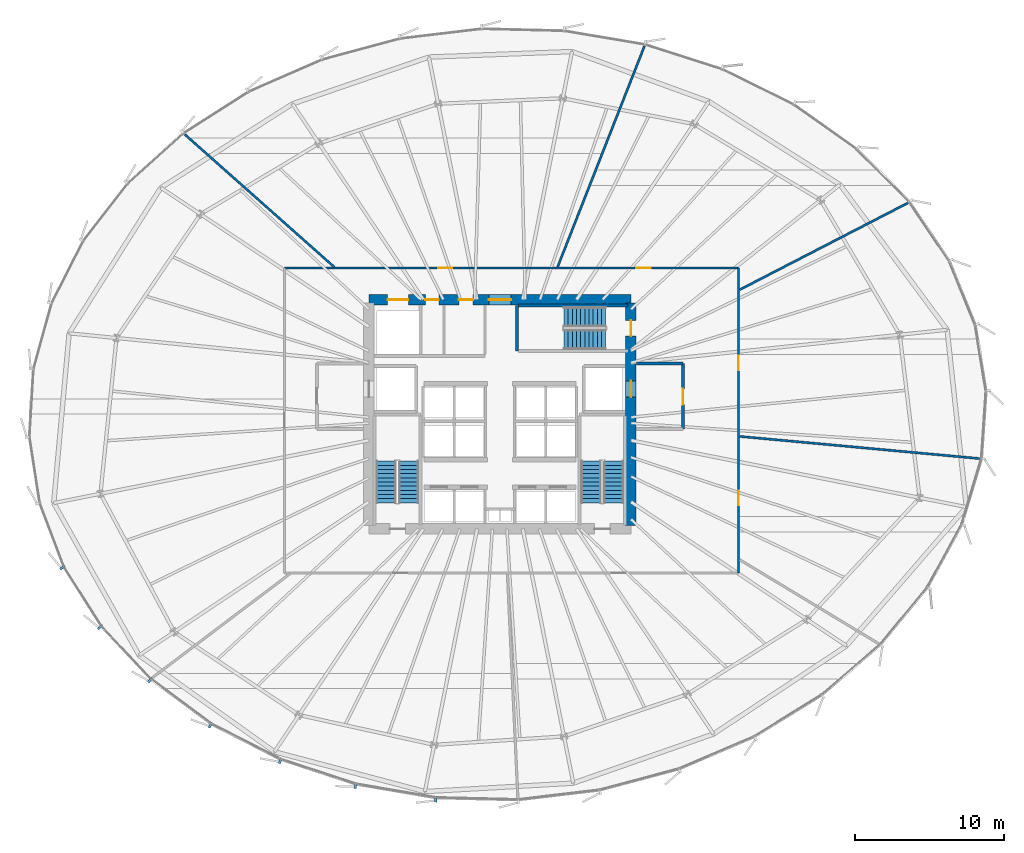
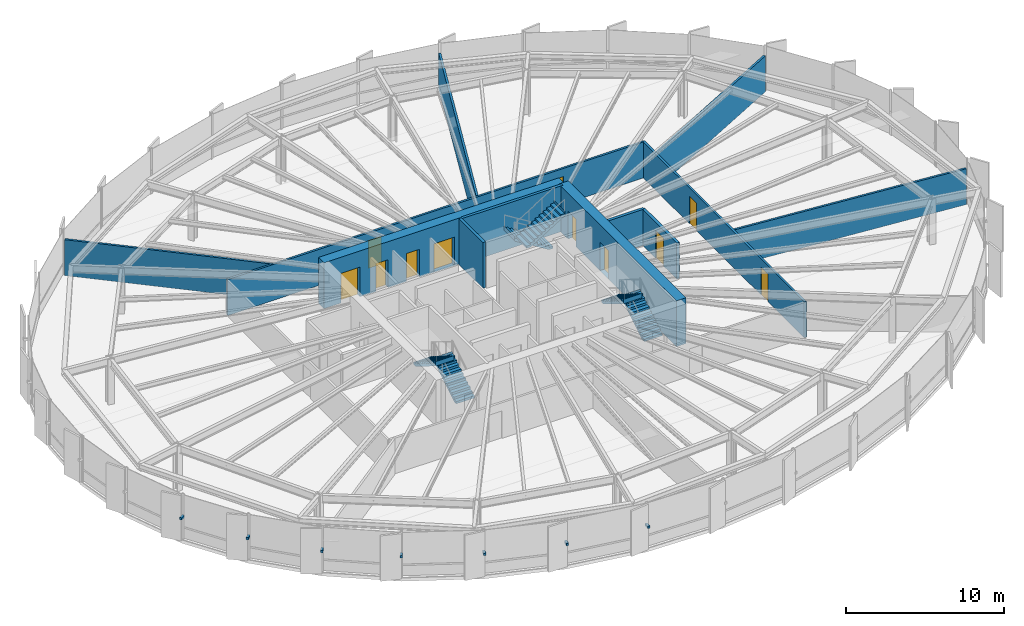
# One storey, part 31 of 39: 12 walls, 11 doors, 7 discrete accessories, 6 stair flights, 11 openings, 3 elements without a shape of their own.
"""IFC4 building model written with IfcOpenShell, lengths in metres."""

from ifc_helpers import new_model, si_unit, direction, frame, frame_2d, origin, origin_2d, place, context, subcontext, project, spatial, polyline, rectangle, outline, extrude, source, transform, mapped, material, layer, layer_set, type_object, element, fill, aggregate, save


model = new_model("IFC4")

# Units and contexts
model_context = context("Model", 3, precision=1e-05, world=origin(), true_north=direction((0.0, 1.0)))
body_context = subcontext(model_context, "Body", "Model", "MODEL_VIEW")
ifc_project = project(units=[si_unit("LENGTHUNIT", "METRE"), si_unit("AREAUNIT", "SQUARE_METRE"), si_unit("VOLUMEUNIT", "CUBIC_METRE"), si_unit("PLANEANGLEUNIT", "RADIAN"), si_unit("MASSUNIT", "GRAM", prefix="KILO"), si_unit("THERMODYNAMICTEMPERATUREUNIT", "KELVIN")], contexts=[model_context])

# Site, building, storey
site_placement = place(None, origin())
site = spatial("IfcSite", under=ifc_project, at=site_placement, CompositionType="ELEMENT")
building_placement = place(site_placement, origin())
building = spatial("IfcBuilding", under=site, at=building_placement, Name="Kethvar Cultural Tower", CompositionType="ELEMENT")
storey_placement = place(building_placement, frame((0.0, 0.0, 41.0)))
storey = spatial("IfcBuildingStorey", under=building, at=storey_placement, Name="L09", CompositionType="ELEMENT", Elevation=41.0)

# Wall, openings, doors
ifc_material_1 = material(Name="Concrete C60/75", Category="concrete")
ifc_layer_1 = layer(ifc_material_1, 0.699951171875, Name="Concrete C60/75", Category="concrete")
ifc_layer_set_1 = layer_set([ifc_layer_1], Name="Concrete C60/75 (700 mm)")
wall_type_1 = type_object("IfcWallType", Name="WL-CORE-700", PredefinedType="SHEAR", material=ifc_layer_set_1)
wall_1_placement = place(storey_placement, frame((55.60009765625, 35.5, 0.0), z_axis=(0.0, 0.0, 1.0), x_axis=(-1.0, 0.0, 0.0)))
wall_1 = element("IfcWall", 1, at=wall_1_placement, inside=storey, type_object=wall_type_1, Name="L09 Core Shear Wall N", PredefinedType="SHEAR", context=body_context, shape_type="SweptSolid", body=[
    extrude(rectangle(XDim=17.60009765625, YDim=0.699951171875, at=frame_2d((8.800048828125, 0.0))), origin(), (0.0, 0.0, 1.0), 3.550048828125),
])
opening_1_placement = place(wall_1_placement, frame((8.050048828125, 0.0, 0.0)))
opening_1 = element("IfcOpeningElement", 2, at=opening_1_placement, cuts=wall_1, Name="Opening D-L09-LN", PredefinedType="OPENING", context=body_context, shape_type="SweptSolid", body=[
    extrude(rectangle(XDim=1.5, YDim=2.199951171875, at=frame_2d((0.75, 1.10009765625))), frame((0.0, 0.35986328125, 0.0), z_axis=(0.0, -1.0, 0.0), x_axis=(1.0, 0.0, 0.0)), (0.0, 0.0, 1.0), 0.719970703125),
])
opening_2_placement = place(wall_1_placement, frame((14.949951171875, 0.0, 0.0)))
opening_2 = element("IfcOpeningElement", 3, at=opening_2_placement, cuts=wall_1, Name="Opening LD-G1", PredefinedType="OPENING", context=body_context, shape_type="SweptSolid", body=[
    extrude(rectangle(XDim=1.39990234375, YDim=2.300048828125, at=frame_2d((0.699951171875, 1.14990234375))), frame((0.0, 0.35986328125, 0.0), z_axis=(0.0, -1.0, 0.0), x_axis=(1.0, 0.0, 0.0)), (0.0, 0.0, 1.0), 0.719970703125),
])
opening_3_placement = place(wall_1_placement, frame((12.89990234375, 0.0, 0.0)))
opening_3 = element("IfcOpeningElement", 4, at=opening_3_placement, cuts=wall_1, Name="Opening D-L09-W1", PredefinedType="OPENING", context=body_context, shape_type="SweptSolid", body=[
    extrude(rectangle(XDim=0.89990234375, YDim=2.14990234375, at=frame_2d((0.449951171875, 1.074951171875))), frame((0.0, 0.35986328125, 0.0), z_axis=(0.0, -1.0, 0.0), x_axis=(1.0, 0.0, 0.0)), (0.0, 0.0, 1.0), 0.719970703125),
])
opening_4_placement = place(wall_1_placement, frame((10.60009765625, 0.0, 0.0)))
opening_4 = element("IfcOpeningElement", 5, at=opening_4_placement, cuts=wall_1, Name="Opening D-L09-W2", PredefinedType="OPENING", context=body_context, shape_type="SweptSolid", body=[
    extrude(rectangle(XDim=0.949951171875, YDim=2.14990234375, at=frame_2d((0.47509765625, 1.074951171875))), frame((0.0, 0.35986328125, 0.0), z_axis=(0.0, -1.0, 0.0), x_axis=(1.0, 0.0, 0.0)), (0.0, 0.0, 1.0), 0.719970703125),
])
ifc_material_2 = material(Name="Architectural Oak Timber", Category="wood")
door_type_1 = type_object("IfcDoorType", Name="DR-DBL-FD60-1500", OperationType="DOUBLE_DOOR_SINGLE_SWING", PredefinedType="DOOR", material=ifc_material_2)
shared_shape_1 = source(origin(), body_context, "Body", "SweptSolid", [
    extrude(rectangle(XDim=1.5, YDim=2.199951171875, at=frame_2d((0.75, 1.10009765625))), frame((0.0, 0.02490234375, 0.0), z_axis=(0.0, -1.0, 0.0), x_axis=(1.0, 0.0, 0.0)), (0.0, 0.0, 1.0), 0.050048828125),
])
door_1_placement = place(opening_1_placement, origin())
door_1 = element("IfcDoor", 6, at=door_1_placement, inside=storey, type_object=door_type_1, Name="L09 Lift Lobby Concourse Door", OperationType="DOUBLE_DOOR_SINGLE_SWING", OverallHeight=2.199951171875, OverallWidth=1.5, PredefinedType="DOOR", context=body_context, shape_type="MappedRepresentation", body=[
    mapped(shared_shape_1, transform((0.0, 0.0, 0.0), scale=1.0)),
])
fill(opening_1, door_1)
ifc_material_3 = material(Name="Steel S355J2", Category="steel")
door_type_2 = type_object("IfcDoorType", Name="DR-LIFT-SLIDE-1400", OperationType="NOTDEFINED", PredefinedType="DOOR", material=ifc_material_3)
shared_shape_2 = source(origin(), body_context, "Body", "SweptSolid", [
    extrude(rectangle(XDim=1.39990234375, YDim=2.300048828125, at=frame_2d((0.699951171875, 1.14990234375))), frame((0.0, 0.02490234375, 0.0), z_axis=(0.0, -1.0, 0.0), x_axis=(1.0, 0.0, 0.0)), (0.0, 0.0, 1.0), 0.050048828125),
])
door_2_placement = place(opening_2_placement, origin())
door_2 = element("IfcDoor", 7, at=door_2_placement, inside=storey, type_object=door_type_2, Name="L09 Goods Lift Landing Door", OperationType="SLIDING_TO_RIGHT", OverallHeight=2.300048828125, OverallWidth=1.39990234375, PredefinedType="DOOR", context=body_context, shape_type="MappedRepresentation", body=[
    mapped(shared_shape_2, transform((0.0, 0.0, 0.0), scale=1.0)),
])
fill(opening_2, door_2)
door_type_3 = type_object("IfcDoorType", Name="DR-FD30-950", OperationType="NOTDEFINED", PredefinedType="DOOR", material=ifc_material_2)
shared_shape_3 = source(origin(), body_context, "Body", "SweptSolid", [
    extrude(rectangle(XDim=0.949951171875, YDim=2.14990234375, at=frame_2d((0.47509765625, 1.074951171875))), frame((0.0, 0.02490234375, 0.0), z_axis=(0.0, -1.0, 0.0), x_axis=(1.0, 0.0, 0.0)), (0.0, 0.0, 1.0), 0.050048828125),
])
door_3_placement = place(opening_4_placement, origin())
door_3 = element("IfcDoor", 8, at=door_3_placement, inside=storey, type_object=door_type_3, Name="L09 Public Washroom Door", OperationType="SINGLE_SWING_RIGHT", OverallHeight=2.14990234375, OverallWidth=0.949951171875, PredefinedType="DOOR", context=body_context, shape_type="MappedRepresentation", body=[
    mapped(shared_shape_3, transform((0.0, 0.0, 0.0), scale=1.0)),
])
fill(opening_4, door_3)
door_type_4 = type_object("IfcDoorType", Name="DR-FD30-900", OperationType="NOTDEFINED", PredefinedType="DOOR", material=ifc_material_2)
shared_shape_4 = source(origin(), body_context, "Body", "SweptSolid", [
    extrude(rectangle(XDim=0.89990234375, YDim=2.14990234375, at=frame_2d((0.449951171875, 1.074951171875))), frame((0.0, 0.02490234375, 0.0), z_axis=(0.0, -1.0, 0.0), x_axis=(1.0, 0.0, 0.0)), (0.0, 0.0, 1.0), 0.050048828125),
])
door_4_placement = place(opening_3_placement, origin())
door_4 = element("IfcDoor", 9, at=door_4_placement, inside=storey, type_object=door_type_4, Name="L09 Accessible Washroom Door", OperationType="SINGLE_SWING_LEFT", OverallHeight=2.14990234375, OverallWidth=0.89990234375, PredefinedType="DOOR", context=body_context, shape_type="MappedRepresentation", body=[
    mapped(shared_shape_4, transform((0.0, 0.0, 0.0), scale=1.0)),
])
fill(opening_3, door_4)

wall_2_placement = place(storey_placement, frame((55.60009765625, 20.340087890625, 0.0), z_axis=(0.0, 0.0, 1.0), x_axis=(0.0, 1.0, 0.0)))
wall_2 = element("IfcWall", 10, at=wall_2_placement, inside=storey, type_object=wall_type_1, Name="L09 Core Shear Wall E", PredefinedType="SHEAR", context=body_context, shape_type="SweptSolid", body=[
    extrude(rectangle(XDim=14.919921875, YDim=0.699951171875, at=frame_2d((7.4599609375, 0.0))), origin(), (0.0, 0.0, 1.0), 3.550048828125),
])
opening_5_placement = place(wall_2_placement, frame((12.7099609375, 0.0, 0.0)))
opening_5 = element("IfcOpeningElement", 11, at=opening_5_placement, cuts=wall_2, Name="Opening D-L09-S3", PredefinedType="OPENING", context=body_context, shape_type="SweptSolid", body=[
    extrude(rectangle(XDim=1.050048828125, YDim=2.14990234375, at=frame_2d((0.52490234375, 1.074951171875))), frame((0.0, 0.35986328125, 0.0), z_axis=(0.0, -1.0, 0.0), x_axis=(1.0, 0.0, 0.0)), (0.0, 0.0, 1.0), 0.719970703125),
])
opening_6_placement = place(wall_2_placement, frame((8.610107421875, 0.0, 0.0)))
opening_6 = element("IfcOpeningElement", 12, at=opening_6_placement, cuts=wall_2, Name="Opening LD-2", PredefinedType="OPENING", context=body_context, shape_type="SweptSolid", body=[
    extrude(rectangle(XDim=1.10009765625, YDim=2.199951171875, at=frame_2d((0.550048828125, 1.10009765625))), frame((0.0, 0.35986328125, 0.0), z_axis=(0.0, -1.0, 0.0), x_axis=(1.0, 0.0, 0.0)), (0.0, 0.0, 1.0), 0.719970703125),
])
door_type_5 = type_object("IfcDoorType", Name="DR-FD60-1050", OperationType="NOTDEFINED", PredefinedType="DOOR", material=ifc_material_3)
shared_shape_5 = source(origin(), body_context, "Body", "SweptSolid", [
    extrude(rectangle(XDim=1.050048828125, YDim=2.14990234375, at=frame_2d((0.52490234375, 1.074951171875))), frame((0.0, 0.02490234375, 0.0), z_axis=(0.0, -1.0, 0.0), x_axis=(1.0, 0.0, 0.0)), (0.0, 0.0, 1.0), 0.050048828125),
])
door_5_placement = place(opening_5_placement, origin())
door_5 = element("IfcDoor", 13, at=door_5_placement, inside=storey, type_object=door_type_5, Name="L09 Exit Stair 3 Door", OperationType="SINGLE_SWING_LEFT", OverallHeight=2.14990234375, OverallWidth=1.050048828125, PredefinedType="DOOR", context=body_context, shape_type="MappedRepresentation", body=[
    mapped(shared_shape_5, transform((0.0, 0.0, 0.0), scale=1.0)),
])
fill(opening_5, door_5)
door_type_6 = type_object("IfcDoorType", Name="DR-LIFT-SLIDE-1100", OperationType="NOTDEFINED", PredefinedType="DOOR", material=ifc_material_3)
shared_shape_6 = source(origin(), body_context, "Body", "SweptSolid", [
    extrude(rectangle(XDim=1.10009765625, YDim=2.199951171875, at=frame_2d((0.550048828125, 1.10009765625))), frame((0.0, 0.02490234375, 0.0), z_axis=(0.0, -1.0, 0.0), x_axis=(1.0, 0.0, 0.0)), (0.0, 0.0, 1.0), 0.050048828125),
])
door_6_placement = place(opening_6_placement, origin())
door_6 = element("IfcDoor", 14, at=door_6_placement, inside=storey, type_object=door_type_6, Name="L09 Firefighting Lift Landing Door FFL-02", OperationType="SLIDING_TO_RIGHT", OverallHeight=2.199951171875, OverallWidth=1.10009765625, PredefinedType="DOOR", context=body_context, shape_type="MappedRepresentation", body=[
    mapped(shared_shape_6, transform((0.0, 0.0, 0.0), scale=1.0)),
])
fill(opening_6, door_6)

ifc_material_4 = material(Name="Gypsum Fireboard Partition")
ifc_layer_2 = layer(ifc_material_4, 0.14990234375, Name="Gypsum Fireboard Partition")
ifc_layer_set_2 = layer_set([ifc_layer_2], Name="Gypsum Fireboard Partition (150 mm)")
wall_type_2 = type_object("IfcWallType", Name="WL-FIRE-150", PredefinedType="PARTITIONING", material=ifc_layer_set_2)
wall_3_placement = place(storey_placement, frame((62.830078125, 17.139892578125, 0.0), z_axis=(0.0, 0.0, 1.0), x_axis=(0.0, 1.0, 0.0)))
wall_3 = element("IfcWall", 15, at=wall_3_placement, inside=storey, type_object=wall_type_2, Name="L09 Corridor Rated Wall E", PredefinedType="PARTITIONING", context=body_context, shape_type="SweptSolid", body=[
    extrude(rectangle(XDim=20.480224609375, YDim=0.14990234375, at=frame_2d((10.240234375, 0.0))), origin(), (0.0, 0.0, 1.0), 2.784912109375),
])
opening_7_placement = place(wall_3_placement, frame((4.560302734375, 0.0, 0.0)))
opening_7 = element("IfcOpeningElement", 16, at=opening_7_placement, cuts=wall_3, Name="Opening D-L09-03", PredefinedType="OPENING", context=body_context, shape_type="SweptSolid", body=[
    extrude(rectangle(XDim=0.949951171875, YDim=2.14990234375, at=frame_2d((0.47509765625, 1.074951171875))), frame((0.0, 0.0849609375, 0.0), z_axis=(0.0, -1.0, 0.0), x_axis=(1.0, 0.0, 0.0)), (0.0, 0.0, 1.0), 0.169921875),
])
opening_8_placement = place(wall_3_placement, frame((13.626220703125, 0.0, 0.0)))
opening_8 = element("IfcOpeningElement", 17, at=opening_8_placement, cuts=wall_3, Name="Opening D-L09-04", PredefinedType="OPENING", context=body_context, shape_type="SweptSolid", body=[
    extrude(rectangle(XDim=0.949951171875, YDim=2.14990234375, at=frame_2d((0.47509765625, 1.074951171875))), frame((0.0, 0.0849609375, 0.0), z_axis=(0.0, -1.0, 0.0), x_axis=(1.0, 0.0, 0.0)), (0.0, 0.0, 1.0), 0.169921875),
])
door_7_placement = place(opening_7_placement, origin())
door_7 = element("IfcDoor", 18, at=door_7_placement, inside=storey, type_object=door_type_3, Name="L09 Executive Boardroom 03 Door", OperationType="SINGLE_SWING_RIGHT", OverallHeight=2.14990234375, OverallWidth=0.949951171875, PredefinedType="DOOR", context=body_context, shape_type="MappedRepresentation", body=[
    mapped(shared_shape_3, transform((0.0, 0.0, 0.0), scale=1.0)),
])
fill(opening_7, door_7)
door_8_placement = place(opening_8_placement, origin())
door_8 = element("IfcDoor", 19, at=door_8_placement, inside=storey, type_object=door_type_3, Name="L09 Fellowship Seminar Room 04 Door", OperationType="SINGLE_SWING_LEFT", OverallHeight=2.14990234375, OverallWidth=0.949951171875, PredefinedType="DOOR", context=body_context, shape_type="MappedRepresentation", body=[
    mapped(shared_shape_3, transform((0.0, 0.0, 0.0), scale=1.0)),
])
fill(opening_8, door_8)

wall_4_placement = place(storey_placement, frame((62.830078125, 37.6201171875, 0.0), z_axis=(0.0, 0.0, 1.0), x_axis=(-1.0, 0.0, 0.0)))
wall_4 = element("IfcWall", 20, at=wall_4_placement, inside=storey, type_object=wall_type_2, Name="L09 Corridor Rated Wall N", PredefinedType="PARTITIONING", context=body_context, shape_type="SweptSolid", body=[
    extrude(rectangle(XDim=30.5, YDim=0.14990234375, at=frame_2d((15.25, 0.0))), origin(), (0.0, 0.0, 1.0), 2.784912109375),
])
opening_9_placement = place(wall_4_placement, frame((5.90771484375, 0.0, 0.0)))
opening_9 = element("IfcOpeningElement", 21, at=opening_9_placement, cuts=wall_4, Name="Opening D-L09-05", PredefinedType="OPENING", context=body_context, shape_type="SweptSolid", body=[
    extrude(rectangle(XDim=0.949951171875, YDim=2.14990234375, at=frame_2d((0.47509765625, 1.074951171875))), frame((0.0, 0.0849609375, 0.0), z_axis=(0.0, -1.0, 0.0), x_axis=(1.0, 0.0, 0.0)), (0.0, 0.0, 1.0), 0.169921875),
])
opening_10_placement = place(wall_4_placement, frame((19.217041015625, 0.0, 0.0)))
opening_10 = element("IfcOpeningElement", 22, at=opening_10_placement, cuts=wall_4, Name="Opening D-L09-06", PredefinedType="OPENING", context=body_context, shape_type="SweptSolid", body=[
    extrude(rectangle(XDim=0.949951171875, YDim=2.14990234375, at=frame_2d((0.47509765625, 1.074951171875))), frame((0.0, 0.0849609375, 0.0), z_axis=(0.0, -1.0, 0.0), x_axis=(1.0, 0.0, 0.0)), (0.0, 0.0, 1.0), 0.169921875),
])
door_9_placement = place(opening_9_placement, origin())
door_9 = element("IfcDoor", 23, at=door_9_placement, inside=storey, type_object=door_type_3, Name="L09 Docent Espresso Pantry 05 Door", OperationType="SINGLE_SWING_RIGHT", OverallHeight=2.14990234375, OverallWidth=0.949951171875, PredefinedType="DOOR", context=body_context, shape_type="MappedRepresentation", body=[
    mapped(shared_shape_3, transform((0.0, 0.0, 0.0), scale=1.0)),
])
fill(opening_9, door_9)
door_10_placement = place(opening_10_placement, origin())
door_10 = element("IfcDoor", 24, at=door_10_placement, inside=storey, type_object=door_type_3, Name="L09 Compact Archival Store 06 Door", OperationType="SINGLE_SWING_LEFT", OverallHeight=2.14990234375, OverallWidth=0.949951171875, PredefinedType="DOOR", context=body_context, shape_type="MappedRepresentation", body=[
    mapped(shared_shape_3, transform((0.0, 0.0, 0.0), scale=1.0)),
])
fill(opening_10, door_10)

# Wall, opening, door
ifc_material_5 = material(Name="Concrete C40/50", Category="concrete")
ifc_layer_3 = layer(ifc_material_5, 0.199951171875, Name="Concrete C40/50", Category="concrete")
ifc_layer_set_3 = layer_set([ifc_layer_3], Name="Concrete C40/50 (200 mm)")
wall_type_3 = type_object("IfcWallType", Name="WL-FIRE-200", PredefinedType="PARTITIONING", material=ifc_layer_set_3)
wall_5_placement = place(storey_placement, frame((59.10009765625, 26.800048828125, 0.0), z_axis=(0.0, 0.0, 1.0), x_axis=(0.0, 1.0, 0.0)))
wall_5 = element("IfcWall", 25, at=wall_5_placement, inside=storey, type_object=wall_type_3, Name="L09 Firefighting Lobby 2 Wall", PredefinedType="PARTITIONING", context=body_context, shape_type="SweptSolid", body=[
    extrude(rectangle(XDim=4.39990234375, YDim=0.199951171875, at=frame_2d((2.199951171875, 0.0))), origin(), (0.0, 0.0, 1.0), 2.784912109375),
])
opening_11_placement = place(wall_5_placement, frame((1.64990234375, 0.0, 0.0)))
opening_11 = element("IfcOpeningElement", 26, at=opening_11_placement, cuts=wall_5, Name="Opening D-L09-F2", PredefinedType="OPENING", context=body_context, shape_type="SweptSolid", body=[
    extrude(rectangle(XDim=1.050048828125, YDim=2.14990234375, at=frame_2d((0.52490234375, 1.074951171875))), frame((0.0, 0.10986328125, 0.0), z_axis=(0.0, -1.0, 0.0), x_axis=(1.0, 0.0, 0.0)), (0.0, 0.0, 1.0), 0.219970703125),
])
door_11_placement = place(opening_11_placement, origin())
door_11 = element("IfcDoor", 27, at=door_11_placement, inside=storey, type_object=door_type_5, Name="L09 Firefighting Lobby 2 Fire Door", OperationType="SINGLE_SWING_LEFT", OverallHeight=2.14990234375, OverallWidth=1.050048828125, PredefinedType="DOOR", context=body_context, shape_type="MappedRepresentation", body=[
    mapped(shared_shape_5, transform((0.0, 0.0, 0.0), scale=1.0)),
])
fill(opening_11, door_11)

# Walls
wall_6_placement = place(storey_placement, frame((55.9599609375, 31.199951171875, 0.0), z_axis=(0.0, 0.0, 1.0), x_axis=(1.0, 0.0, 0.0)))
element("IfcWall", 28, at=wall_6_placement, inside=storey, type_object=wall_type_3, Name="L09 FF Lobby 2 North Wall", PredefinedType="PARTITIONING", context=body_context, shape_type="SweptSolid", body=[
    extrude(rectangle(XDim=3.14013671875, YDim=0.199951171875, at=frame_2d((1.570068359375, 0.0))), origin(), (0.0, 0.0, 1.0), 2.784912109375),
])
ifc_material_6 = material(Name="Gypsum Acoustic Partition")
ifc_layer_4 = layer(ifc_material_6, 0.14990234375, Name="Gypsum Acoustic Partition")
ifc_layer_set_4 = layer_set([ifc_layer_4], Name="Gypsum Acoustic Partition (150 mm)")
wall_type_4 = type_object("IfcWallType", Name="WL-PART-150", PredefinedType="PARTITIONING", material=ifc_layer_set_4)
wall_7_placement = place(storey_placement, frame((62.90966796875, 26.313720703125, 0.0), z_axis=(0.0, 0.0, 1.0), x_axis=(0.995756410418, -0.092028099575, 0.0)))
element("IfcWall", 29, at=wall_7_placement, inside=storey, type_object=wall_type_4, Name="L09 Radial Partition Wall 04", PredefinedType="PARTITIONING", context=body_context, shape_type="SweptSolid", body=[
    extrude(rectangle(XDim=16.179931640625, YDim=0.14990234375, at=frame_2d((8.08984375, 0.0))), origin(), (0.0, 0.0, 1.0), 2.784912109375),
])
wall_8_placement = place(storey_placement, frame((62.901123046875, 36.16357421875, 0.0), z_axis=(0.0, 0.0, 1.0), x_axis=(0.888689580982, 0.458509355034, 0.0)))
element("IfcWall", 30, at=wall_8_placement, inside=storey, type_object=wall_type_4, Name="L09 Radial Partition Wall 05", PredefinedType="PARTITIONING", context=body_context, shape_type="SweptSolid", body=[
    extrude(rectangle(XDim=12.711669921875, YDim=0.14990234375, at=frame_2d((6.35595703125, 0.0))), origin(), (0.0, 0.0, 1.0), 2.784912109375),
])
wall_9_placement = place(storey_placement, frame((50.673828125, 37.6943359375, 0.0), z_axis=(0.0, 0.0, 1.0), x_axis=(0.365989434305, 0.930619005811, 0.0)))
element("IfcWall", 31, at=wall_9_placement, inside=storey, type_object=wall_type_4, Name="L09 Radial Partition Wall 06", PredefinedType="PARTITIONING", context=body_context, shape_type="SweptSolid", body=[
    extrude(rectangle(XDim=15.932373046875, YDim=0.14990234375, at=frame_2d((7.96630859375, 0.0))), origin(), (0.0, 0.0, 1.0), 2.784912109375),
])
wall_10_placement = place(storey_placement, frame((35.692138671875, 37.673095703125, 0.0), z_axis=(0.0, 0.0, 1.0), x_axis=(-0.748055578895, 0.663636083169, 0.0)))
element("IfcWall", 32, at=wall_10_placement, inside=storey, type_object=wall_type_4, Name="L09 Radial Partition Wall 07", PredefinedType="PARTITIONING", context=body_context, shape_type="SweptSolid", body=[
    extrude(rectangle(XDim=13.436279296875, YDim=0.14990234375, at=frame_2d((6.71826171875, 0.0))), origin(), (0.0, 0.0, 1.0), 2.784912109375),
])
ifc_material_7 = material(Name="Concrete C50/60", Category="concrete")
ifc_layer_5 = layer(ifc_material_7, 0.199951171875, Name="Concrete C50/60", Category="concrete")
ifc_layer_set_5 = layer_set([ifc_layer_5], Name="Concrete C50/60 (200 mm)")
wall_type_5 = type_object("IfcWallType", Name="WL-STSHAFT-200", PredefinedType="SHEAR", material=ifc_layer_set_5)
wall_11_placement = place(storey_placement, frame((47.949951171875, 32.050048828125, 0.0), z_axis=(0.0, 0.0, 1.0), x_axis=(0.0, 1.0, 0.0)))
element("IfcWall", 33, at=wall_11_placement, inside=storey, type_object=wall_type_5, Name="L09 ST-03 Stair Shaft Wall FAR", PredefinedType="SHEAR", context=body_context, shape_type="SweptSolid", body=[
    extrude(rectangle(XDim=3.06005859375, YDim=0.199951171875, at=frame_2d((1.530029296875, 0.0))), origin(), (0.0, 0.0, 1.0), 3.550048828125),
])
wall_12_placement = place(storey_placement, frame((48.050048828125, 35.110107421875, 0.0), z_axis=(0.0, 0.0, 1.0), x_axis=(1.0, 0.0, 0.0)))
element("IfcWall", 34, at=wall_12_placement, inside=storey, type_object=wall_type_5, Name="L09 ST-03 Stair Shaft Wall LEFT", PredefinedType="SHEAR", context=body_context, shape_type="SweptSolid", body=[
    extrude(rectangle(XDim=7.349853515625, YDim=0.199951171875, at=frame_2d((3.6748046875, 0.0))), origin(), (0.0, 0.0, 1.0), 3.550048828125),
])

# Stair, stair flights
stair_type = type_object("IfcStairType", Name="ST-DOGLEG-135", PredefinedType="HALF_TURN_STAIR", material=ifc_material_5)
stair_1_placement = place(storey_placement, origin())
stair_1 = element("IfcStair", 35, at=stair_1_placement, inside=storey, type_object=stair_type, Name="L09 Core Exit Stair 1", PredefinedType="HALF_TURN_STAIR")
stair_flight_type = type_object("IfcStairFlightType", Name="FL-STRAIGHT-135", PredefinedType="STRAIGHT", material=ifc_material_5)
stair_flight_1_placement = place(storey_placement, frame((40.675048828125, 21.85009765625, 0.0), z_axis=(0.0, 0.0, 1.0), x_axis=(0.0, 1.0, 0.0)))
stair_flight_1 = element("IfcStairFlight", 36, at=stair_flight_1_placement, type_object=stair_flight_type, Name="ST-01 flight 1", NumberOfRisers=11, NumberOfTreads=10, PredefinedType="STRAIGHT", RiserHeight=0.172727273, TreadLength=0.28, context=body_context, shape_type="SweptSolid", body=[
    extrude(outline(polyline([(-0.0009765625, -0.0009765625), (-0.0009765625, 0.172607421875), (0.280029296875, 0.172607421875), (0.280029296875, 0.345458984375), (0.56005859375, 0.345458984375), (0.56005859375, 0.51806640625), (0.840087890625, 0.51806640625), (0.840087890625, 0.69091796875), (1.1201171875, 0.69091796875), (1.1201171875, 0.863525390625), (1.39990234375, 0.863525390625), (1.39990234375, 1.036376953125), (1.679931640625, 1.036376953125), (1.679931640625, 1.208984375), (1.9599609375, 1.208984375), (1.9599609375, 1.3818359375), (2.239990234375, 1.3818359375), (2.239990234375, 1.554443359375), (2.52001953125, 1.554443359375), (2.52001953125, 1.727294921875), (2.800048828125, 1.727294921875), (2.800048828125, 1.89990234375), (2.801025390625, 1.89990234375), (2.801025390625, 1.551025390625), (0.285400390625, 0.0), (0.0, -0.0009765625), (-0.0009765625, -0.0009765625)])), frame((0.0, 0.675048828125, 0.0), z_axis=(0.0, -1.0, 0.0), x_axis=(1.0, 0.0, 0.0)), (0.0, 0.0, 1.0), 1.35009765625),
])
stair_flight_2_placement = place(storey_placement, frame((39.1650390625, 24.64990234375, 1.89990234375), z_axis=(0.0, 0.0, 1.0), x_axis=(0.0, -1.0, 0.0)))
stair_flight_2 = element("IfcStairFlight", 37, at=stair_flight_2_placement, type_object=stair_flight_type, Name="ST-01 flight 2", NumberOfRisers=11, NumberOfTreads=10, PredefinedType="STRAIGHT", RiserHeight=0.172727273, TreadLength=0.28, context=body_context, shape_type="SweptSolid", body=[
    extrude(outline(polyline([(-0.0009765625, -0.0009765625), (-0.0009765625, 0.172607421875), (0.280029296875, 0.172607421875), (0.280029296875, 0.345458984375), (0.56005859375, 0.345458984375), (0.56005859375, 0.51806640625), (0.840087890625, 0.51806640625), (0.840087890625, 0.69091796875), (1.1201171875, 0.69091796875), (1.1201171875, 0.863525390625), (1.39990234375, 0.863525390625), (1.39990234375, 1.036376953125), (1.679931640625, 1.036376953125), (1.679931640625, 1.208984375), (1.9599609375, 1.208984375), (1.9599609375, 1.3818359375), (2.239990234375, 1.3818359375), (2.239990234375, 1.554443359375), (2.52001953125, 1.554443359375), (2.52001953125, 1.727294921875), (2.800048828125, 1.727294921875), (2.800048828125, 1.89990234375), (2.801025390625, 1.89990234375), (2.801025390625, 1.551025390625), (0.285400390625, 0.0), (0.0, -0.0009765625), (-0.0009765625, -0.0009765625)])), frame((0.0, 0.675048828125, 0.0), z_axis=(0.0, -1.0, 0.0), x_axis=(1.0, 0.0, 0.0)), (0.0, 0.0, 1.0), 1.35009765625),
])
aggregate(stair_1, [stair_flight_1, stair_flight_2])

stair_2_placement = place(storey_placement, origin())
stair_2 = element("IfcStair", 38, at=stair_2_placement, inside=storey, type_object=stair_type, Name="L09 Core Exit Stair 2", PredefinedType="HALF_TURN_STAIR")
stair_flight_3_placement = place(storey_placement, frame((54.43505859375, 21.85009765625, 0.0), z_axis=(0.0, 0.0, 1.0), x_axis=(0.0, 1.0, 0.0)))
stair_flight_3 = element("IfcStairFlight", 39, at=stair_flight_3_placement, type_object=stair_flight_type, Name="ST-02 flight 1", NumberOfRisers=11, NumberOfTreads=10, PredefinedType="STRAIGHT", RiserHeight=0.172727273, TreadLength=0.28, context=body_context, shape_type="SweptSolid", body=[
    extrude(outline(polyline([(-0.0009765625, -0.0009765625), (-0.0009765625, 0.172607421875), (0.280029296875, 0.172607421875), (0.280029296875, 0.345458984375), (0.56005859375, 0.345458984375), (0.56005859375, 0.51806640625), (0.840087890625, 0.51806640625), (0.840087890625, 0.69091796875), (1.1201171875, 0.69091796875), (1.1201171875, 0.863525390625), (1.39990234375, 0.863525390625), (1.39990234375, 1.036376953125), (1.679931640625, 1.036376953125), (1.679931640625, 1.208984375), (1.9599609375, 1.208984375), (1.9599609375, 1.3818359375), (2.239990234375, 1.3818359375), (2.239990234375, 1.554443359375), (2.52001953125, 1.554443359375), (2.52001953125, 1.727294921875), (2.800048828125, 1.727294921875), (2.800048828125, 1.89990234375), (2.801025390625, 1.89990234375), (2.801025390625, 1.551025390625), (0.285400390625, 0.0), (0.0, -0.0009765625), (-0.0009765625, -0.0009765625)])), frame((0.0, 0.675048828125, 0.0), z_axis=(0.0, -1.0, 0.0), x_axis=(1.0, 0.0, 0.0)), (0.0, 0.0, 1.0), 1.35009765625),
])
stair_flight_4_placement = place(storey_placement, frame((52.925048828125, 24.64990234375, 1.89990234375), z_axis=(0.0, 0.0, 1.0), x_axis=(0.0, -1.0, 0.0)))
stair_flight_4 = element("IfcStairFlight", 40, at=stair_flight_4_placement, type_object=stair_flight_type, Name="ST-02 flight 2", NumberOfRisers=11, NumberOfTreads=10, PredefinedType="STRAIGHT", RiserHeight=0.172727273, TreadLength=0.28, context=body_context, shape_type="SweptSolid", body=[
    extrude(outline(polyline([(-0.0009765625, -0.0009765625), (-0.0009765625, 0.172607421875), (0.280029296875, 0.172607421875), (0.280029296875, 0.345458984375), (0.56005859375, 0.345458984375), (0.56005859375, 0.51806640625), (0.840087890625, 0.51806640625), (0.840087890625, 0.69091796875), (1.1201171875, 0.69091796875), (1.1201171875, 0.863525390625), (1.39990234375, 0.863525390625), (1.39990234375, 1.036376953125), (1.679931640625, 1.036376953125), (1.679931640625, 1.208984375), (1.9599609375, 1.208984375), (1.9599609375, 1.3818359375), (2.239990234375, 1.3818359375), (2.239990234375, 1.554443359375), (2.52001953125, 1.554443359375), (2.52001953125, 1.727294921875), (2.800048828125, 1.727294921875), (2.800048828125, 1.89990234375), (2.801025390625, 1.89990234375), (2.801025390625, 1.551025390625), (0.285400390625, 0.0), (0.0, -0.0009765625), (-0.0009765625, -0.0009765625)])), frame((0.0, 0.675048828125, 0.0), z_axis=(0.0, -1.0, 0.0), x_axis=(1.0, 0.0, 0.0)), (0.0, 0.0, 1.0), 1.35009765625),
])
aggregate(stair_2, [stair_flight_3, stair_flight_4])

stair_3_placement = place(storey_placement, origin())
stair_3 = element("IfcStair", 41, at=stair_3_placement, inside=storey, type_object=stair_type, Name="L09 Core Exit Stair 3", PredefinedType="HALF_TURN_STAIR")
stair_flight_5_placement = place(storey_placement, frame((53.89990234375, 34.3349609375, 0.0), z_axis=(0.0, 0.0, 1.0), x_axis=(-1.0, 0.0, 0.0)))
stair_flight_5 = element("IfcStairFlight", 42, at=stair_flight_5_placement, type_object=stair_flight_type, Name="ST-03 flight 1", NumberOfRisers=11, NumberOfTreads=10, PredefinedType="STRAIGHT", RiserHeight=0.172727273, TreadLength=0.28, context=body_context, shape_type="SweptSolid", body=[
    extrude(outline(polyline([(-0.0009765625, -0.0009765625), (-0.0009765625, 0.172607421875), (0.280029296875, 0.172607421875), (0.280029296875, 0.345458984375), (0.56005859375, 0.345458984375), (0.56005859375, 0.51806640625), (0.840087890625, 0.51806640625), (0.840087890625, 0.69091796875), (1.1201171875, 0.69091796875), (1.1201171875, 0.863525390625), (1.39990234375, 0.863525390625), (1.39990234375, 1.036376953125), (1.679931640625, 1.036376953125), (1.679931640625, 1.208984375), (1.9599609375, 1.208984375), (1.9599609375, 1.3818359375), (2.239990234375, 1.3818359375), (2.239990234375, 1.554443359375), (2.52001953125, 1.554443359375), (2.52001953125, 1.727294921875), (2.800048828125, 1.727294921875), (2.800048828125, 1.89990234375), (2.801025390625, 1.89990234375), (2.801025390625, 1.551025390625), (0.285400390625, 0.0), (0.0, -0.0009765625), (-0.0009765625, -0.0009765625)])), frame((0.0, 0.675048828125, 0.0), z_axis=(0.0, -1.0, 0.0), x_axis=(1.0, 0.0, 0.0)), (0.0, 0.0, 1.0), 1.35009765625),
])
stair_flight_6_placement = place(storey_placement, frame((51.10009765625, 32.824951171875, 1.89990234375), z_axis=(0.0, 0.0, 1.0), x_axis=(1.0, 0.0, 0.0)))
stair_flight_6 = element("IfcStairFlight", 43, at=stair_flight_6_placement, type_object=stair_flight_type, Name="ST-03 flight 2", NumberOfRisers=11, NumberOfTreads=10, PredefinedType="STRAIGHT", RiserHeight=0.172727273, TreadLength=0.28, context=body_context, shape_type="SweptSolid", body=[
    extrude(outline(polyline([(-0.0009765625, -0.0009765625), (-0.0009765625, 0.172607421875), (0.280029296875, 0.172607421875), (0.280029296875, 0.345458984375), (0.56005859375, 0.345458984375), (0.56005859375, 0.51806640625), (0.840087890625, 0.51806640625), (0.840087890625, 0.69091796875), (1.1201171875, 0.69091796875), (1.1201171875, 0.863525390625), (1.39990234375, 0.863525390625), (1.39990234375, 1.036376953125), (1.679931640625, 1.036376953125), (1.679931640625, 1.208984375), (1.9599609375, 1.208984375), (1.9599609375, 1.3818359375), (2.239990234375, 1.3818359375), (2.239990234375, 1.554443359375), (2.52001953125, 1.554443359375), (2.52001953125, 1.727294921875), (2.800048828125, 1.727294921875), (2.800048828125, 1.89990234375), (2.801025390625, 1.89990234375), (2.801025390625, 1.551025390625), (0.285400390625, 0.0), (0.0, -0.0009765625), (-0.0009765625, -0.0009765625)])), frame((0.0, 0.675048828125, 0.0), z_axis=(0.0, -1.0, 0.0), x_axis=(1.0, 0.0, 0.0)), (0.0, 0.0, 1.0), 1.35009765625),
])
aggregate(stair_3, [stair_flight_5, stair_flight_6])

# Discrete accessories
discrete_accessory_type = type_object("IfcDiscreteAccessoryType", Name="Steel Fin Bracket BRK-01", PredefinedType="BRACKET", material=ifc_material_3)
shared_shape_7 = source(origin(), body_context, "Body", "SweptSolid", [
    extrude(rectangle(XDim=0.3798828125, YDim=0.159912109375, at=origin_2d()), origin(), (0.0, 0.0, 1.0), 0.179931640625),
])
for number, where, z_axis, x_axis, name in (
    (44, (17.41357421875, 17.498779296875, 1.68505859375), (0.0, 0.0, 1.0), (-0.844981931132, -0.534794854183, 0.0), "L09 Terracotta Fin Bracket 4.3"),
    (45, (19.9443359375, 13.500732421875, 1.68505859375), (0.0, 0.0, 1.0), (-0.728968627421, -0.684547105929, 0.0), "L09 Terracotta Fin Bracket 4.4"),
    (46, (23.291015625, 9.937255859375, 1.68505859375), (0.0, 0.0, 1.0), (-0.596785201953, -0.802401036097, 0.0), "L09 Terracotta Fin Bracket 4.5"),
    (47, (27.35205078125, 6.916748046875, 1.68505859375), (0.0, 0.0, 1.0), (-0.456476885952, -0.889735271073, 0.0), "L09 Terracotta Fin Bracket 4.6"),
    (48, (32.0439453125, 4.517578125, 1.68505859375), (0.0, 0.0, 1.0), (-0.312666502279, -0.949862968197, 0.0), "L09 Terracotta Fin Bracket 5.1"),
    (49, (37.10498046875, 2.8515625, 1.68505859375), (0.0, 0.0, 1.0), (-0.16831733929, -0.98573286102, 0.0), "L09 Terracotta Fin Bracket 5.2"),
    (50, (42.50048828125, 1.930419921875, 1.68505859375), (0.0, 0.0, 1.0), (-0.024432178153, -0.999701489781, 0.0), "L09 Terracotta Fin Bracket 5.3"),
):
    element("IfcDiscreteAccessory", number, at=place(storey_placement, frame(where, z_axis=z_axis, x_axis=x_axis)), inside=storey, type_object=discrete_accessory_type, Name=name, PredefinedType="BRACKET", context=body_context, shape_type="MappedRepresentation", body=[
        mapped(shared_shape_7, transform((0.0, 0.0, 0.0), scale=1.0)),
    ])

save(model, "model.ifc")
